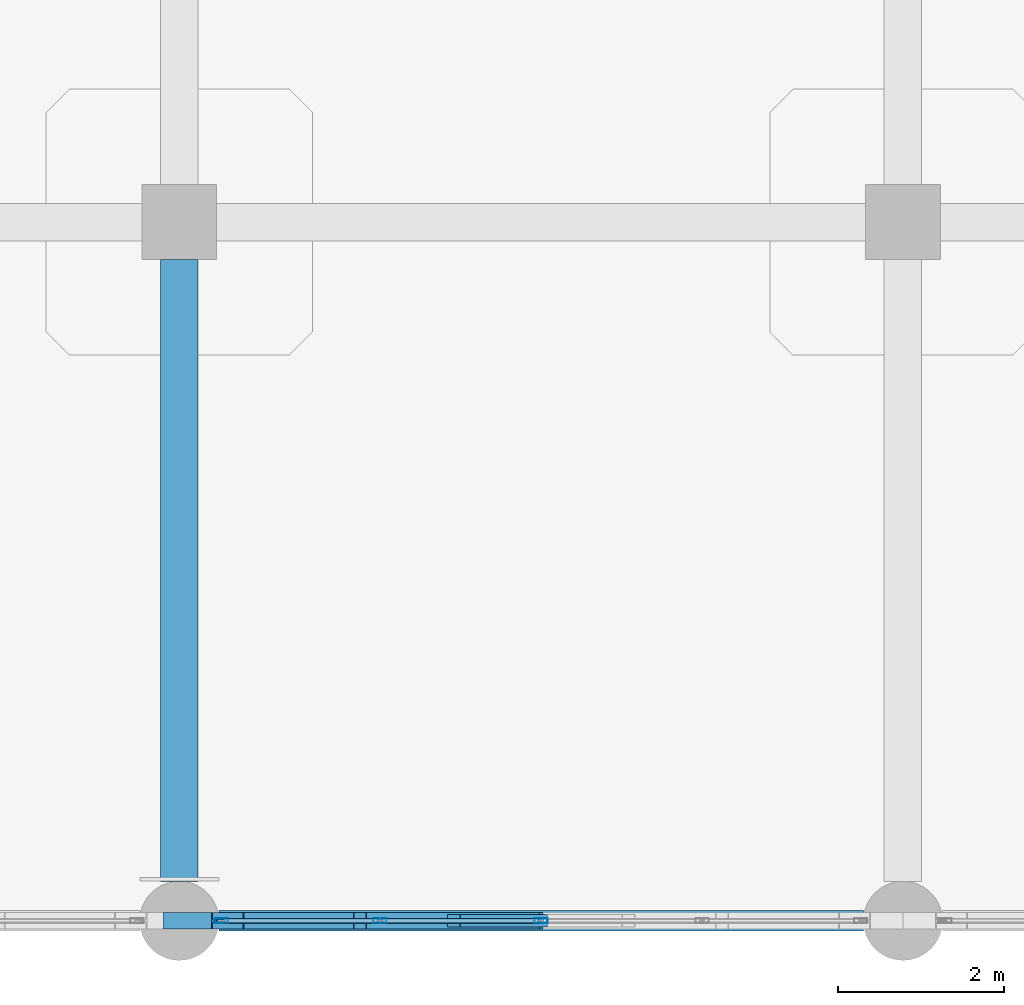
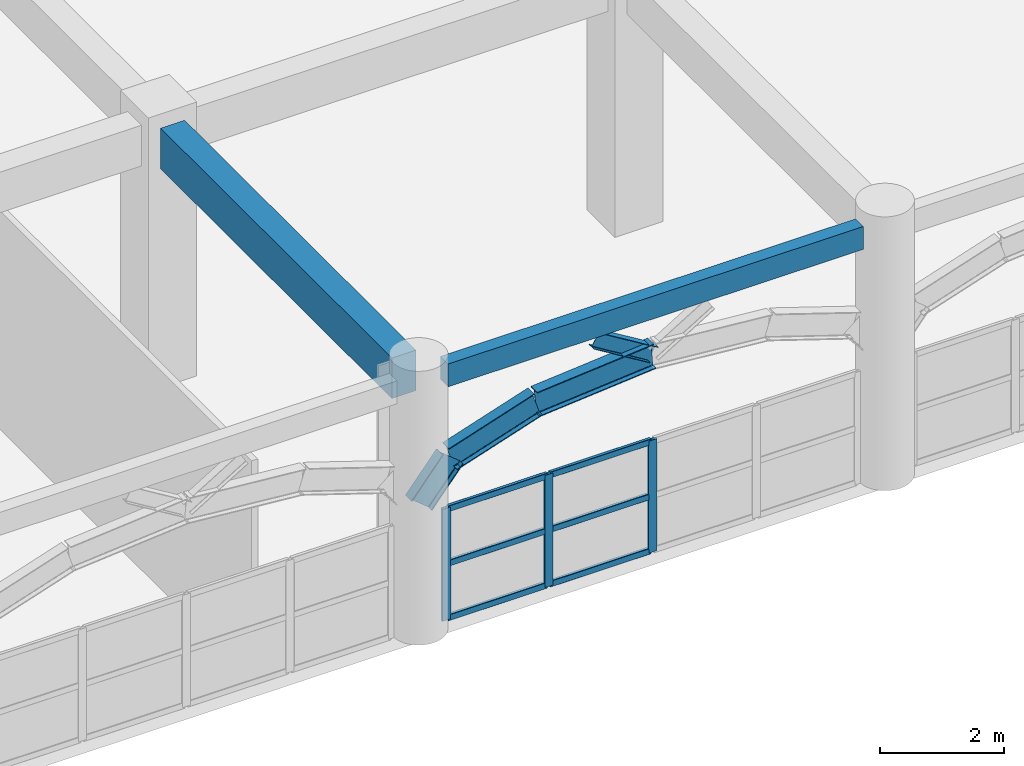
# One storey, part 13 of 114: 10 members, 5 beams, 1 element without a shape of its own.
"""IFC4 building model written with IfcOpenShell, lengths in metres."""

from ifc_helpers import new_model, si_unit, derived_unit, direction, frame, origin, origin_2d, place, context, subcontext, project, spatial, rectangle, hollow_rectangle, i_section, extrude, material, layer, layer_set, material_profile, profile_set, type_object, element, aggregate, save


model = new_model("IFC4")

# Units and contexts
model_context = context("Model", 3, precision=1e-05, world=origin(), true_north=direction((0.0, 1.0)))
body_context = subcontext(model_context, "Body", "Model", "MODEL_VIEW")
ifc_project = project(units=[si_unit("LENGTHUNIT", "METRE"), si_unit("AREAUNIT", "SQUARE_METRE"), si_unit("VOLUMEUNIT", "CUBIC_METRE"), si_unit("PLANEANGLEUNIT", "RADIAN"), si_unit("MASSUNIT", "GRAM", prefix="KILO"), derived_unit("THERMALTRANSMITTANCEUNIT", [(si_unit("MASSUNIT", "GRAM", prefix="KILO"), 1), (si_unit("TIMEUNIT", "SECOND"), -3), (si_unit("THERMODYNAMICTEMPERATUREUNIT", "KELVIN"), -1)])], contexts=[model_context])

# Site, building, storey
site_placement = place(None, origin())
site = spatial("IfcSite", under=ifc_project, at=site_placement, CompositionType="ELEMENT")
building_placement = place(site_placement, origin())
building = spatial("IfcBuilding", under=site, at=building_placement, Name="Qinzheling Arcade Emporium", CompositionType="ELEMENT")
storey_placement = place(building_placement, frame((0.0, 0.0, 6.0)))
storey = spatial("IfcBuildingStorey", under=building, at=storey_placement, Name="L02", CompositionType="ELEMENT", Elevation=6.0)

# Beams
ifc_material_1 = material(Name="Weathering steel Q355NH", Category="steel")
ifc_material_profile_1 = material_profile(ifc_material_1, i_section(OverallWidth=0.199951171875, OverallDepth=0.5, WebThickness=0.010009765625, FlangeThickness=0.01611328125, FilletRadius=0.01806640625, at=origin_2d()), Name="HN 500x200x10x16", Category="steel")
ifc_profile_set_1 = profile_set([ifc_material_profile_1], Name="Weathering steel Q355NH")
beam_type_1 = type_object("IfcBeamType", Name="Arcade End Arch Rib HN500 Q355NH", PredefinedType="BEAM", material=ifc_profile_set_1)
beam_1_placement = place(storey_placement, frame((43.5, 0.0, 2.47509765625), z_axis=(0.633064539161, 0.0, 0.774099017734), x_axis=(0.0, 1.0, 0.0)))
element("IfcBeam", 1, at=beam_1_placement, inside=storey, type_object=beam_type_1, Name="Street Entrance Arch ARC-L02-S03-C01", PredefinedType="BEAM", context=body_context, shape_type="SweptSolid", body=[
    extrude(i_section(OverallWidth=0.199951171875, OverallDepth=0.5, WebThickness=0.010009765625, FlangeThickness=0.01611328125, FilletRadius=0.01806640625, at=origin_2d()), origin(), (0.0, 0.0, 1.0), 0.9208984375),
])
beam_2_placement = place(storey_placement, frame((44.0830078125, 0.0, 3.18798828125), z_axis=(0.950403395584, 0.0, 0.311019912004), x_axis=(0.0, 1.0, 0.0)))
element("IfcBeam", 2, at=beam_2_placement, inside=storey, type_object=beam_type_1, Name="Street Entrance Arch ARC-L02-S03-C02", PredefinedType="BEAM", context=body_context, shape_type="SweptSolid", body=[
    extrude(i_section(OverallWidth=0.199951171875, OverallDepth=0.5, WebThickness=0.010009765625, FlangeThickness=0.01611328125, FilletRadius=0.01806640625, at=origin_2d()), origin(), (0.0, 0.0, 1.0), 1.675048828125),
])
beam_3_placement = place(storey_placement, frame((45.675048828125, 0.0, 3.708984375), z_axis=(0.9961697702, 0.0, 0.087440202076), x_axis=(0.0, 1.0, 0.0)))
element("IfcBeam", 3, at=beam_3_placement, inside=storey, type_object=beam_type_1, Name="Street Entrance Arch ARC-L02-S03-C03", PredefinedType="BEAM", context=body_context, shape_type="SweptSolid", body=[
    extrude(i_section(OverallWidth=0.199951171875, OverallDepth=0.5, WebThickness=0.010009765625, FlangeThickness=0.01611328125, FilletRadius=0.01806640625, at=origin_2d()), origin(), (0.0, 0.0, 1.0), 2.183349609375),
])

# Member
ifc_material_profile_2 = material_profile(ifc_material_1, i_section(OverallWidth=0.14990234375, OverallDepth=0.300048828125, WebThickness=0.006591796875, FlangeThickness=0.009033203125, FilletRadius=0.012939453125, at=origin_2d()), Name="HN 300x150x6.5x9", Category="steel")
ifc_profile_set_2 = profile_set([ifc_material_profile_2], Name="Weathering steel Q355NH")
member_type_1 = type_object("IfcMemberType", Name="Arcade Spandrel Web Chord HN300 Q355NH", PredefinedType="CHORD", material=ifc_profile_set_2)
member_1_placement = place(storey_placement, frame((47.85009765625, 0.0, 3.909912109375), z_axis=(-0.853845673448, 0.0, 0.520526239428), x_axis=(0.0, -1.0, 0.0)))
element("IfcMember", 4, at=member_1_placement, inside=storey, type_object=member_type_1, Name="Street Spandrel Web Chord ASW-L02-S03-W1", PredefinedType="CHORD", context=body_context, shape_type="SweptSolid", body=[
    extrude(i_section(OverallWidth=0.14990234375, OverallDepth=0.300048828125, WebThickness=0.006591796875, FlangeThickness=0.009033203125, FilletRadius=0.012939453125, at=origin_2d()), origin(), (0.0, 0.0, 1.0), 1.229736328125),
])

# Curtain wall, members
ifc_material_2 = material(Name="Anodised aluminium and solar-control double glazing", Category="aluminium")
ifc_layer = layer(ifc_material_2, 0.159912109375, Name="Anodised aluminium and solar-control double glazing", Category="aluminium")
ifc_layer_set = layer_set([ifc_layer], Name="Anodised aluminium and solar-control double glazing")
curtain_wall_type = type_object("IfcCurtainWallType", Name="Arcade Portal Glazed Curtain Wall", PredefinedType="NOTDEFINED", material=ifc_layer_set)
curtain_wall_placement = place(storey_placement, origin())
curtain_wall = element("IfcCurtainWall", 5, at=curtain_wall_placement, inside=storey, type_object=curtain_wall_type, Name="Curtain Wall CW-L02-070", PredefinedType="NOTDEFINED")
ifc_material_3 = material(Name="Anodised aluminium 6063-T6", Category="aluminium")
ifc_material_profile_3 = material_profile(ifc_material_3, hollow_rectangle(XDim=0.06005859375, YDim=0.159912109375, WallThickness=0.00390625, InnerFilletRadius=0.00390625, OuterFilletRadius=0.008056640625, at=origin_2d()), Name="RHS 160x60x4", Category="aluminium")
ifc_profile_set_3 = profile_set([ifc_material_profile_3], Name="Anodised aluminium 6063-T6")
member_type_2 = type_object("IfcMemberType", Name="Curtain Wall Mullion RHS160x60", PredefinedType="MULLION", material=ifc_profile_set_3)
member_2_placement = place(storey_placement, frame((47.85009765625, 0.0, 0.0), z_axis=(0.0, 0.0, 1.0), x_axis=(0.0, -1.0, 0.0)))
member_2 = element("IfcMember", 6, at=member_2_placement, type_object=member_type_2, Name="CW05 mullion 3", PredefinedType="MULLION", context=body_context, shape_type="SweptSolid", body=[
    extrude(hollow_rectangle(XDim=0.06005859375, YDim=0.159912109375, WallThickness=0.00390625, InnerFilletRadius=0.00390625, OuterFilletRadius=0.008056640625, at=origin_2d()), origin(), (0.0, 0.0, 1.0), 2.2099609375),
])
member_3_placement = place(storey_placement, frame((45.91357421875, 0.0, 0.0), z_axis=(0.0, 0.0, 1.0), x_axis=(0.0, -1.0, 0.0)))
member_3 = element("IfcMember", 7, at=member_3_placement, type_object=member_type_2, Name="CW05 mullion 4", PredefinedType="MULLION", context=body_context, shape_type="SweptSolid", body=[
    extrude(hollow_rectangle(XDim=0.06005859375, YDim=0.159912109375, WallThickness=0.00390625, InnerFilletRadius=0.00390625, OuterFilletRadius=0.008056640625, at=origin_2d()), origin(), (0.0, 0.0, 1.0), 2.2099609375),
])
member_4_placement = place(storey_placement, frame((44.007080078125, 0.0, 0.0), z_axis=(0.0, 0.0, 1.0), x_axis=(0.0, -1.0, 0.0)))
member_4 = element("IfcMember", 8, at=member_4_placement, type_object=member_type_2, Name="CW05 mullion 5", PredefinedType="MULLION", context=body_context, shape_type="SweptSolid", body=[
    extrude(hollow_rectangle(XDim=0.06005859375, YDim=0.159912109375, WallThickness=0.00390625, InnerFilletRadius=0.00390625, OuterFilletRadius=0.008056640625, at=origin_2d()), origin(), (0.0, 0.0, 1.0), 2.2099609375),
])
ifc_material_profile_4 = material_profile(ifc_material_3, hollow_rectangle(XDim=0.06005859375, YDim=0.1201171875, WallThickness=0.00390625, InnerFilletRadius=0.00390625, OuterFilletRadius=0.008056640625, at=origin_2d()), Name="RHS 120x60x4", Category="aluminium")
ifc_profile_set_4 = profile_set([ifc_material_profile_4], Name="Anodised aluminium 6063-T6")
member_type_3 = type_object("IfcMemberType", Name="Curtain Wall Transom RHS120x60", PredefinedType="USERDEFINED", material=ifc_profile_set_4)
member_5_placement = place(storey_placement, frame((47.820068359375, 0.0, 0.030029296875), z_axis=(-1.0, 0.0, 0.0), x_axis=(0.0, -1.0, 0.0)))
member_5 = element("IfcMember", 9, at=member_5_placement, type_object=member_type_3, Name="CW05 transom 3.1", ObjectType="TRANSOM", PredefinedType="USERDEFINED", context=body_context, shape_type="SweptSolid", body=[
    extrude(hollow_rectangle(XDim=0.06005859375, YDim=0.1201171875, WallThickness=0.00390625, InnerFilletRadius=0.00390625, OuterFilletRadius=0.008056640625, at=origin_2d()), origin(), (0.0, 0.0, 1.0), 1.87646484375),
])
member_6_placement = place(storey_placement, frame((47.820068359375, 0.0, 1.10498046875), z_axis=(-1.0, 0.0, 0.0), x_axis=(0.0, -1.0, 0.0)))
member_6 = element("IfcMember", 10, at=member_6_placement, type_object=member_type_3, Name="CW05 transom 3.2", ObjectType="TRANSOM", PredefinedType="USERDEFINED", context=body_context, shape_type="SweptSolid", body=[
    extrude(hollow_rectangle(XDim=0.06005859375, YDim=0.1201171875, WallThickness=0.00390625, InnerFilletRadius=0.00390625, OuterFilletRadius=0.008056640625, at=origin_2d()), origin(), (0.0, 0.0, 1.0), 1.87646484375),
])
member_7_placement = place(storey_placement, frame((47.820068359375, 0.0, 2.179931640625), z_axis=(-1.0, 0.0, 0.0), x_axis=(0.0, -1.0, 0.0)))
member_7 = element("IfcMember", 11, at=member_7_placement, type_object=member_type_3, Name="CW05 transom 3.3", ObjectType="TRANSOM", PredefinedType="USERDEFINED", context=body_context, shape_type="SweptSolid", body=[
    extrude(hollow_rectangle(XDim=0.06005859375, YDim=0.1201171875, WallThickness=0.00390625, InnerFilletRadius=0.00390625, OuterFilletRadius=0.008056640625, at=origin_2d()), origin(), (0.0, 0.0, 1.0), 1.87646484375),
])
member_8_placement = place(storey_placement, frame((45.883544921875, 0.0, 0.030029296875), z_axis=(-1.0, 0.0, 0.0), x_axis=(0.0, -1.0, 0.0)))
member_8 = element("IfcMember", 12, at=member_8_placement, type_object=member_type_3, Name="CW05 transom 4.1", ObjectType="TRANSOM", PredefinedType="USERDEFINED", context=body_context, shape_type="SweptSolid", body=[
    extrude(hollow_rectangle(XDim=0.06005859375, YDim=0.1201171875, WallThickness=0.00390625, InnerFilletRadius=0.00390625, OuterFilletRadius=0.008056640625, at=origin_2d()), origin(), (0.0, 0.0, 1.0), 1.846435546875),
])
member_9_placement = place(storey_placement, frame((45.883544921875, 0.0, 1.10498046875), z_axis=(-1.0, 0.0, 0.0), x_axis=(0.0, -1.0, 0.0)))
member_9 = element("IfcMember", 13, at=member_9_placement, type_object=member_type_3, Name="CW05 transom 4.2", ObjectType="TRANSOM", PredefinedType="USERDEFINED", context=body_context, shape_type="SweptSolid", body=[
    extrude(hollow_rectangle(XDim=0.06005859375, YDim=0.1201171875, WallThickness=0.00390625, InnerFilletRadius=0.00390625, OuterFilletRadius=0.008056640625, at=origin_2d()), origin(), (0.0, 0.0, 1.0), 1.846435546875),
])
member_10_placement = place(storey_placement, frame((45.883544921875, 0.0, 2.179931640625), z_axis=(-1.0, 0.0, 0.0), x_axis=(0.0, -1.0, 0.0)))
member_10 = element("IfcMember", 14, at=member_10_placement, type_object=member_type_3, Name="CW05 transom 4.3", ObjectType="TRANSOM", PredefinedType="USERDEFINED", context=body_context, shape_type="SweptSolid", body=[
    extrude(hollow_rectangle(XDim=0.06005859375, YDim=0.1201171875, WallThickness=0.00390625, InnerFilletRadius=0.00390625, OuterFilletRadius=0.008056640625, at=origin_2d()), origin(), (0.0, 0.0, 1.0), 1.846435546875),
])
aggregate(curtain_wall, [member_2, member_3, member_4, member_5, member_6, member_7, member_8, member_9, member_10])

# Beams
ifc_material_4 = material(Name="Concrete C40", Category="concrete")
ifc_material_profile_5 = material_profile(ifc_material_4, rectangle(XDim=0.25, YDim=0.449951171875, at=origin_2d()), Name="RC 250x450", Category="concrete")
ifc_profile_set_5 = profile_set([ifc_material_profile_5], Name="Concrete C40")
beam_type_2 = type_object("IfcBeamType", Name="RC Opening Lintel Beam 250x450 C40", PredefinedType="LINTEL", material=ifc_profile_set_5)
beam_4_placement = place(storey_placement, frame((43.97509765625, 0.0, 4.89501953125), z_axis=(1.0, 0.0, 0.0), x_axis=(0.0, 1.0, 0.0)))
element("IfcBeam", 15, at=beam_4_placement, inside=storey, type_object=beam_type_2, Name="Beam BM-L02-X-A-6", PredefinedType="LINTEL", context=body_context, shape_type="SweptSolid", body=[
    extrude(rectangle(XDim=0.25, YDim=0.449951171875, at=origin_2d()), origin(), (0.0, 0.0, 1.0), 7.75),
])
ifc_material_profile_6 = material_profile(ifc_material_4, rectangle(XDim=0.449951171875, YDim=0.800048828125, at=origin_2d()), Name="RC 450x800", Category="concrete")
ifc_profile_set_6 = profile_set([ifc_material_profile_6], Name="Concrete C40")
beam_type_3 = type_object("IfcBeamType", Name="RC Primary Frame Beam 450x800 C40", PredefinedType="BEAM", material=ifc_profile_set_6)
beam_5_placement = place(storey_placement, frame((43.5, 0.47509765625, 4.719970703125), z_axis=(0.0, 1.0, 0.0), x_axis=(-1.0, 0.0, 0.0)))
element("IfcBeam", 16, at=beam_5_placement, inside=storey, type_object=beam_type_3, Name="Beam BM-L02-Y-6-A", PredefinedType="BEAM", context=body_context, shape_type="SweptSolid", body=[
    extrude(rectangle(XDim=0.449951171875, YDim=0.800048828125, at=origin_2d()), origin(), (0.0, 0.0, 1.0), 7.474853515625),
])

save(model, "model.ifc")
